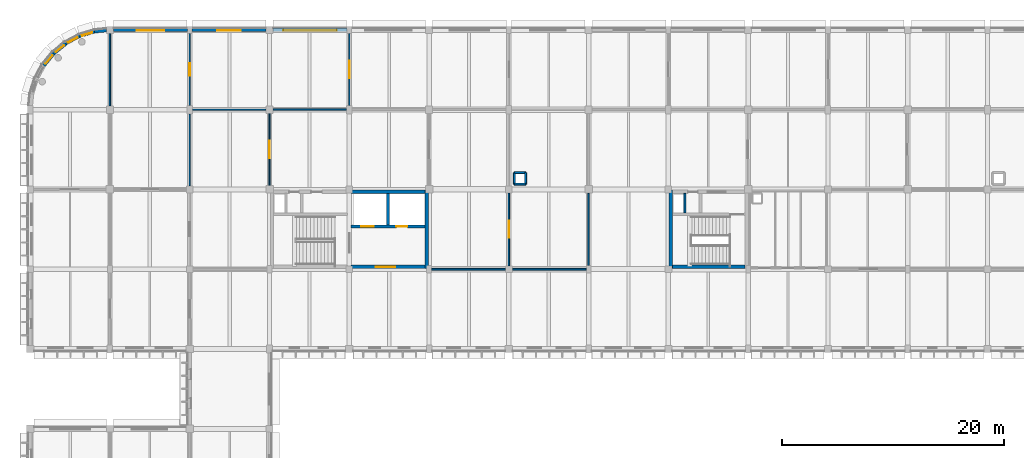
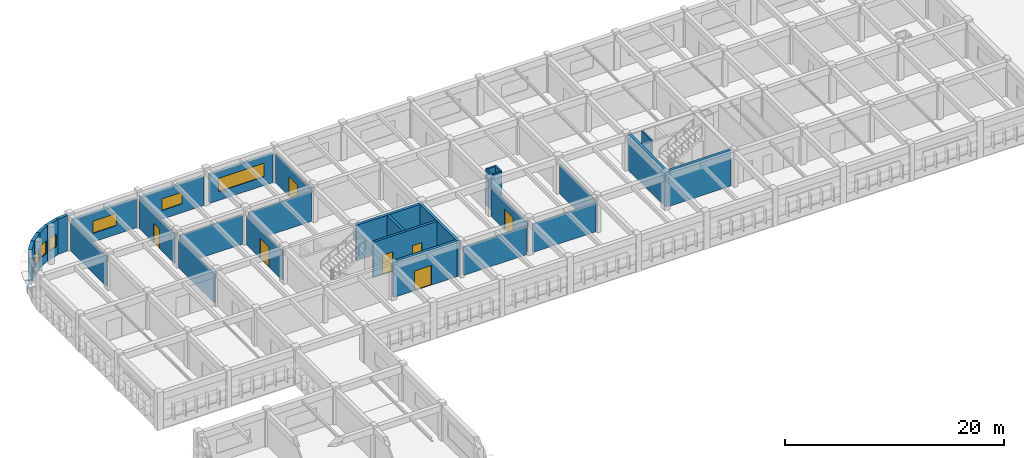
# One storey, part 25 of 38: 31 walls, 7 doors, 7 windows, 14 openings.
"""IFC4 building model written with IfcOpenShell, lengths in metres."""

import ifcopenshell
import ifcopenshell.guid

model = None  # the IFC model being written
_history = None  # IfcOwnerHistory: only IFC2X3 demands one
_inside = {}  # id of a spatial element -> (the spatial element, [elements in it])
_under = {}  # id of a project, library or spatial element -> (it, [spatial elements below it])
_declared = {}  # id of a project -> (the project, [libraries it declares])
_typed = {}  # id of a type object -> (the type object, [elements of that type])
_made_of = {}  # id of a material, layer set ... -> (it, [elements and type objects made of it])


def new_model(schema):
    """Start an empty IFC model of exactly this schema.

    Asked for "IFC4X3", IfcOpenShell would pick the latest addendum, in which some entities
    have other attributes; the version numbers below select the first issue.
    IFC2X3 requires an IfcOwnerHistory on every rooted entity: one is made here for all.
    """
    global model, _history
    if schema == "IFC4X3":
        model = ifcopenshell.file(schema_version=(4, 3, 0, 0))
    else:
        model = ifcopenshell.file(schema=schema)
    _inside.clear()
    _under.clear()
    _declared.clear()
    _typed.clear()
    _made_of.clear()
    _history = None
    if model.schema == "IFC2X3":
        org = make("IfcOrganization", Name="unknown")
        user = make(
            "IfcPersonAndOrganization",
            ThePerson=make("IfcPerson", FamilyName="unknown"),
            TheOrganization=org,
        )
        app = make(
            "IfcApplication",
            ApplicationDeveloper=org,
            Version="unknown",
            ApplicationFullName="unknown",
            ApplicationIdentifier="unknown",
        )
        _history = make(
            "IfcOwnerHistory",
            OwningUser=user,
            OwningApplication=app,
            ChangeAction="ADDED",
            CreationDate=0,
        )
    return model


def make(cls, **values):
    """One entity of the class cls with the attributes given. An attribute that is None is left unset."""
    return model.create_entity(
        cls, **{name: value for name, value in values.items() if value is not None}
    )


def rooted(cls, **values):
    """An entity with a GlobalId (a new one), such as an element, a storey or a relation."""
    return make(cls, GlobalId=ifcopenshell.guid.new(), OwnerHistory=_history, **values)


def si_unit(unit_type, name, prefix=None):
    """IfcSIUnit, for example si_unit("LENGTHUNIT", "METRE", prefix="MILLI")."""
    return make("IfcSIUnit", UnitType=unit_type, Prefix=prefix, Name=name)


def assignment(units):
    """IfcUnitAssignment: the units of a project."""
    return None if units is None else make("IfcUnitAssignment", Units=units)


def point(xyz):
    """IfcCartesianPoint."""
    return None if xyz is None else make("IfcCartesianPoint", Coordinates=xyz)


def direction(xyz):
    """IfcDirection."""
    return None if xyz is None else make("IfcDirection", DirectionRatios=xyz)


def frame(location, z_axis=None, x_axis=None):
    """IfcAxis2Placement3D, a coordinate frame: its origin and axes. An axis left out is left unset."""
    return make(
        "IfcAxis2Placement3D",
        Location=point(location),
        Axis=direction(z_axis),
        RefDirection=direction(x_axis),
    )


def frame_2d(location, x_axis=None):
    """IfcAxis2Placement2D, a coordinate frame in the plane: its origin and x axis."""
    return make(
        "IfcAxis2Placement2D", Location=point(location), RefDirection=direction(x_axis)
    )


def origin():
    """The frame at (0, 0, 0) with its axes left unset."""
    return frame((0.0, 0.0, 0.0))


def place(relative_to, where):
    """IfcLocalPlacement: puts the frame where relative to a parent placement (None: the world)."""
    return make(
        "IfcLocalPlacement", PlacementRelTo=relative_to, RelativePlacement=where
    )


def context(
    kind, dimensions, precision=None, world=None, true_north=None, identifier=None
):
    """IfcGeometricRepresentationContext, for example the 3D "Model" context."""
    return make(
        "IfcGeometricRepresentationContext",
        ContextIdentifier=identifier,
        ContextType=kind,
        CoordinateSpaceDimension=dimensions,
        Precision=precision,
        WorldCoordinateSystem=world,
        TrueNorth=true_north,
    )


def subcontext(parent, identifier, kind, view, scale=None):
    """IfcGeometricRepresentationSubContext, for example "Body" below "Model"."""
    return make(
        "IfcGeometricRepresentationSubContext",
        ContextIdentifier=identifier,
        ContextType=kind,
        ParentContext=parent,
        TargetScale=scale,
        TargetView=view,
    )


def project(units=None, contexts=None):
    """IfcProject with its units and contexts."""
    return rooted(
        "IfcProject",
        Name="project",
        RepresentationContexts=contexts,
        UnitsInContext=assignment(units),
    )


def spatial(cls, under=None, at=None, **own):
    """A site, building, storey or space (cls), placed at a placement, below another one or the project."""
    s = rooted(cls, ObjectPlacement=at, **own)
    if under is not None:
        _under.setdefault(under.id(), (under, []))[1].append(s)
    return s


def profile(cls, at=None, kind="AREA", **sizes):
    """A parametric profile (cls). Its sizes go by their IFC names, for example OverallWidth=200.0."""
    return make(cls, ProfileType=kind, Position=at, **sizes)


def rectangle(**sizes):
    """IfcRectangleProfileDef."""
    return profile("IfcRectangleProfileDef", **sizes)


def extrude(swept, where, along, depth):
    """IfcExtrudedAreaSolid: the profile swept, set in the frame where, extruded along a direction by depth."""
    return make(
        "IfcExtrudedAreaSolid",
        SweptArea=swept,
        Position=where,
        ExtrudedDirection=direction(along),
        Depth=depth,
    )


def shape(context_of_items, identifier, shape_type, items):
    """IfcShapeRepresentation: the items that make up one representation, for example the "Body"."""
    return make(
        "IfcShapeRepresentation",
        ContextOfItems=context_of_items,
        RepresentationIdentifier=identifier,
        RepresentationType=shape_type,
        Items=items,
    )


def material(Name=None, Category=None):
    """IfcMaterial."""
    return make("IfcMaterial", Name=Name, Category=Category)


def layer(
    of_material, thickness, ventilated=None, Name=None, Category=None, Priority=None
):
    """IfcMaterialLayer: one layer of a wall or slab, of a material (None: an air gap)."""
    return make(
        "IfcMaterialLayer",
        Material=of_material,
        LayerThickness=thickness,
        IsVentilated=ventilated,
        Name=Name,
        Category=Category,
        Priority=Priority,
    )


def layer_set(layers, Name=None):
    """IfcMaterialLayerSet."""
    return make("IfcMaterialLayerSet", MaterialLayers=layers, LayerSetName=Name)


def made_of(thing, what):
    """Note that an element or type object is made of a material, layer set ...; save() writes the relation."""
    if what is not None:
        _made_of.setdefault(what.id(), (what, []))[1].append(thing)
    return thing


def type_object(cls, material=None, **own):
    """A type object (cls), such as IfcWallType, which elements share."""
    return made_of(rooted(cls, **own), material)


def element(
    cls,
    number,
    at=None,
    inside=None,
    cuts=None,
    type_object=None,
    material=None,
    context=None,
    identifier="Body",
    shape_type=None,
    held_by="IfcProductDefinitionShape",
    body=None,
    shapes=None,
    **own,
):
    """One element of the class cls, such as IfcWall. Its Tag is "e" and its number.

    at: its placement. inside: the storey or other place that contains it. cuts: it is an
    opening in that element (IfcRelVoidsElement). A single representation is given by context,
    identifier, shape_type and body (its items); several are given by shapes. held_by: the class
    of the entity that holds the representations. save() writes the other relations.
    """
    e = rooted(cls, Tag="e%d" % number, ObjectPlacement=at, **own)
    if body is not None:
        shapes = [shape(context, identifier, shape_type, body)]
    if shapes is not None:
        e.Representation = make(held_by, Representations=shapes)
    if inside is not None:
        _inside.setdefault(inside.id(), (inside, []))[1].append(e)
    if cuts is not None:
        rooted(
            "IfcRelVoidsElement", RelatingBuildingElement=cuts, RelatedOpeningElement=e
        )
    if type_object is not None:
        _typed.setdefault(type_object.id(), (type_object, []))[1].append(e)
    return made_of(e, material)


def fill(opening, filler):
    """IfcRelFillsElement: the door or window that sits in an opening."""
    return rooted(
        "IfcRelFillsElement",
        RelatingOpeningElement=opening,
        RelatedBuildingElement=filler,
    )


def aggregate(whole, parts):
    """IfcRelAggregates: a whole, such as a stair, and the parts it consists of."""
    return rooted("IfcRelAggregates", RelatingObject=whole, RelatedObjects=parts)


def save(model, path):
    """Write the relations noted so far, then the file.

    IfcRelAggregates (storeys below a building ...), IfcRelContainedInSpatialStructure (elements
    in a storey), IfcRelDefinesByType, IfcRelAssociatesMaterial and IfcRelDeclares: one each for
    every whole, place, type object, material and project.
    """
    for whole, parts in _under.values():
        aggregate(whole, parts)
    for where, things in _inside.values():
        rooted(
            "IfcRelContainedInSpatialStructure",
            RelatedElements=things,
            RelatingStructure=where,
        )
    for kind, things in _typed.values():
        rooted("IfcRelDefinesByType", RelatedObjects=things, RelatingType=kind)
    for what, things in _made_of.values():
        rooted("IfcRelAssociatesMaterial", RelatedObjects=things, RelatingMaterial=what)
    for by, libraries in _declared.values():
        rooted("IfcRelDeclares", RelatingContext=by, RelatedDefinitions=libraries)
    model.write(path)


model = new_model("IFC4")

# Units and contexts
model_context = context("Model", 3, precision=1e-05, world=origin(), true_north=direction((0.0, 1.0)))
body_context = subcontext(model_context, "Body", "Model", "MODEL_VIEW")
ifc_project = project(units=[si_unit("LENGTHUNIT", "METRE"), si_unit("AREAUNIT", "SQUARE_METRE"), si_unit("VOLUMEUNIT", "CUBIC_METRE"), si_unit("PLANEANGLEUNIT", "RADIAN"), si_unit("MASSUNIT", "GRAM", prefix="KILO")], contexts=[model_context])

# Site, building, storey
site_placement = place(None, origin())
site = spatial("IfcSite", under=ifc_project, at=site_placement, CompositionType="ELEMENT")
building_placement = place(site_placement, origin())
building = spatial("IfcBuilding", under=site, at=building_placement, Name="Thalmaran Polytechnic", CompositionType="ELEMENT")
storey_placement = place(building_placement, frame((0.0, 0.0, 18.60009765625)))
storey = spatial("IfcBuildingStorey", under=building, at=storey_placement, Name="L04", CompositionType="ELEMENT", Elevation=18.60009765625)

# Wall, opening, window
ifc_material_1 = material(Name="Precast concrete C40/50", Category="concrete")
ifc_layer_1 = layer(ifc_material_1, 0.360107421875, Name="Precast concrete C40/50")
ifc_layer_set_1 = layer_set([ifc_layer_1], Name="Precast concrete C40/50")
wall_type_1 = type_object("IfcWallType", Name="WL-EW01", PredefinedType="STANDARD", material=ifc_layer_set_1)
wall_1_placement = place(storey_placement, frame((1.21337890625, 119.2001953125, 0.0), z_axis=(0.0, 0.0, 1.0), x_axis=(0.634433227965, 0.772977670605, 0.0)))
wall_1 = element("IfcWall", 1, at=wall_1_placement, inside=storey, type_object=wall_type_1, Name="Exterior Precast Facade Wall L04-048", PredefinedType="STANDARD", context=body_context, shape_type="SweptSolid", body=[
    extrude(rectangle(XDim=1.41162109375, YDim=0.360107421875, at=frame_2d((0.705810546875, 0.0))), origin(), (0.0, 0.0, 1.0), 3.954833984375),
])
opening_1_placement = place(wall_1_placement, frame((0.2255859375, 0.0, 1.0)))
opening_1 = element("IfcOpeningElement", 2, at=opening_1_placement, cuts=wall_1, Name="Opening CR01", PredefinedType="OPENING", context=body_context, shape_type="SweptSolid", body=[
    extrude(rectangle(XDim=0.9599609375, YDim=1.39990234375, at=frame_2d((0.47998046875, 0.699951171875))), frame((0.0, 0.18994140625, 0.0), z_axis=(0.0, -1.0, 0.0), x_axis=(1.0, 0.0, 0.0)), (0.0, 0.0, 1.0), 0.380126953125),
])
ifc_material_2 = material(Name="Thermally broken aluminium and double low-E glass", Category="aluminium")
window_type_1 = type_object("IfcWindowType", Name="WN-CR01", PartitioningType="SINGLE_PANEL", PredefinedType="WINDOW", material=ifc_material_2)
window_1_placement = place(opening_1_placement, origin())
window_1 = element("IfcWindow", 3, at=window_1_placement, inside=storey, type_object=window_type_1, Name="Curved Prow Ribbon Window W-0586", OverallHeight=1.39990234375, OverallWidth=0.9599609375, PartitioningType="SINGLE_PANEL", PredefinedType="WINDOW", context=body_context, shape_type="SweptSolid", body=[
    extrude(rectangle(XDim=0.9599609375, YDim=1.39990234375, at=frame_2d((0.47998046875, 0.699951171875))), frame((0.0, -0.010009765625, 0.0), z_axis=(0.0, -1.0, 0.0), x_axis=(1.0, 0.0, 0.0)), (0.0, 0.0, 1.0), 0.06005859375),
])
fill(opening_1, window_1)

wall_2_placement = place(storey_placement, frame((2.10888671875, 120.291259765625, 0.0), z_axis=(0.0, 0.0, 1.0), x_axis=(0.773062495189, 0.63432986571, 0.0)))
wall_2 = element("IfcWall", 4, at=wall_2_placement, inside=storey, type_object=wall_type_1, Name="Exterior Precast Facade Wall L04-049", PredefinedType="STANDARD", context=body_context, shape_type="SweptSolid", body=[
    extrude(rectangle(XDim=1.411376953125, YDim=0.360107421875, at=frame_2d((0.70556640625, 0.0))), origin(), (0.0, 0.0, 1.0), 3.954833984375),
])
opening_2_placement = place(wall_2_placement, frame((0.2255859375, 0.0, 1.0)))
opening_2 = element("IfcOpeningElement", 5, at=opening_2_placement, cuts=wall_2, Name="Opening CR01", PredefinedType="OPENING", context=body_context, shape_type="SweptSolid", body=[
    extrude(rectangle(XDim=0.9599609375, YDim=1.39990234375, at=frame_2d((0.47998046875, 0.699951171875))), frame((0.0, 0.18994140625, 0.0), z_axis=(0.0, -1.0, 0.0), x_axis=(1.0, 0.0, 0.0)), (0.0, 0.0, 1.0), 0.380126953125),
])
window_2_placement = place(opening_2_placement, origin())
window_2 = element("IfcWindow", 6, at=window_2_placement, inside=storey, type_object=window_type_1, Name="Curved Prow Ribbon Window W-0587", OverallHeight=1.39990234375, OverallWidth=0.9599609375, PartitioningType="SINGLE_PANEL", PredefinedType="WINDOW", context=body_context, shape_type="SweptSolid", body=[
    extrude(rectangle(XDim=0.9599609375, YDim=1.39990234375, at=frame_2d((0.47998046875, 0.699951171875))), frame((0.0, -0.010009765625, 0.0), z_axis=(0.0, -1.0, 0.0), x_axis=(1.0, 0.0, 0.0)), (0.0, 0.0, 1.0), 0.06005859375),
])
fill(opening_2, window_2)

ifc_layer_2 = layer(ifc_material_1, 0.31005859375, Name="Precast concrete C40/50")
ifc_layer_set_2 = layer_set([ifc_layer_2], Name="Precast concrete C40/50")
wall_type_2 = type_object("IfcWallType", Name="WL-EW03", PredefinedType="STANDARD", material=ifc_layer_set_2)
wall_3_placement = place(storey_placement, frame((3.199951171875, 121.1865234375, 0.0), z_axis=(0.0, 0.0, 1.0), x_axis=(0.881844864465, 0.471539643102, 0.0)))
wall_3 = element("IfcWall", 7, at=wall_3_placement, inside=storey, type_object=wall_type_2, Name="Exterior Precast Facade Wall L04-050", PredefinedType="STANDARD", context=body_context, shape_type="SweptSolid", body=[
    extrude(rectangle(XDim=1.411376953125, YDim=0.31005859375, at=frame_2d((0.70556640625, 0.0))), origin(), (0.0, 0.0, 1.0), 3.954833984375),
])
opening_3_placement = place(wall_3_placement, frame((0.2255859375, 0.0, 1.0)))
opening_3 = element("IfcOpeningElement", 8, at=opening_3_placement, cuts=wall_3, Name="Opening CR01", PredefinedType="OPENING", context=body_context, shape_type="SweptSolid", body=[
    extrude(rectangle(XDim=0.9599609375, YDim=1.39990234375, at=frame_2d((0.47998046875, 0.699951171875))), frame((0.0, 0.1650390625, 0.0), z_axis=(0.0, -1.0, 0.0), x_axis=(1.0, 0.0, 0.0)), (0.0, 0.0, 1.0), 0.330078125),
])
window_3_placement = place(opening_3_placement, origin())
window_3 = element("IfcWindow", 9, at=window_3_placement, inside=storey, type_object=window_type_1, Name="Curved Prow Ribbon Window W-0588", OverallHeight=1.39990234375, OverallWidth=0.9599609375, PartitioningType="SINGLE_PANEL", PredefinedType="WINDOW", context=body_context, shape_type="SweptSolid", body=[
    extrude(rectangle(XDim=0.9599609375, YDim=1.39990234375, at=frame_2d((0.47998046875, 0.699951171875))), frame((0.0, -0.010009765625, 0.0), z_axis=(0.0, -1.0, 0.0), x_axis=(1.0, 0.0, 0.0)), (0.0, 0.0, 1.0), 0.06005859375),
])
fill(opening_3, window_3)

wall_4_placement = place(storey_placement, frame((4.444580078125, 121.85205078125, 0.0), z_axis=(0.0, 0.0, 1.0), x_axis=(0.95696037757, 0.290218599957, 0.0)))
wall_4 = element("IfcWall", 10, at=wall_4_placement, inside=storey, type_object=wall_type_2, Name="Exterior Precast Facade Wall L04-051", PredefinedType="STANDARD", context=body_context, shape_type="SweptSolid", body=[
    extrude(rectangle(XDim=1.41162109375, YDim=0.31005859375, at=frame_2d((0.705810546875, 0.0))), origin(), (0.0, 0.0, 1.0), 3.954833984375),
])
opening_4_placement = place(wall_4_placement, frame((0.2255859375, 0.0, 1.0)))
opening_4 = element("IfcOpeningElement", 11, at=opening_4_placement, cuts=wall_4, Name="Opening CR01", PredefinedType="OPENING", context=body_context, shape_type="SweptSolid", body=[
    extrude(rectangle(XDim=0.9599609375, YDim=1.39990234375, at=frame_2d((0.47998046875, 0.699951171875))), frame((0.0, 0.1650390625, 0.0), z_axis=(0.0, -1.0, 0.0), x_axis=(1.0, 0.0, 0.0)), (0.0, 0.0, 1.0), 0.330078125),
])
window_4_placement = place(opening_4_placement, origin())
window_4 = element("IfcWindow", 12, at=window_4_placement, inside=storey, type_object=window_type_1, Name="Curved Prow Ribbon Window W-0589", OverallHeight=1.39990234375, OverallWidth=0.9599609375, PartitioningType="SINGLE_PANEL", PredefinedType="WINDOW", context=body_context, shape_type="SweptSolid", body=[
    extrude(rectangle(XDim=0.9599609375, YDim=1.39990234375, at=frame_2d((0.47998046875, 0.699951171875))), frame((0.0, -0.010009765625, 0.0), z_axis=(0.0, -1.0, 0.0), x_axis=(1.0, 0.0, 0.0)), (0.0, 0.0, 1.0), 0.06005859375),
])
fill(opening_4, window_4)

# Wall
wall_5_placement = place(storey_placement, frame((5.79541015625, 122.26171875, 0.0), z_axis=(0.0, 0.0, 1.0), x_axis=(0.99518962033, 0.097967441467, 0.0)))
element("IfcWall", 13, at=wall_5_placement, inside=storey, type_object=wall_type_2, Name="Exterior Precast Facade Wall L04-052", PredefinedType="STANDARD", context=body_context, shape_type="SweptSolid", body=[
    extrude(rectangle(XDim=1.1015625, YDim=0.31005859375, at=frame_2d((0.55078125, 0.0))), origin(), (0.0, 0.0, 1.0), 3.954833984375),
])

# Wall, opening, window
wall_6_placement = place(storey_placement, frame((7.510009765625, 122.39990234375, 0.0), z_axis=(0.0, 0.0, 1.0), x_axis=(1.0, 0.0, 0.0)))
wall_6 = element("IfcWall", 14, at=wall_6_placement, inside=storey, type_object=wall_type_2, Name="Exterior Precast Facade Wall L04-053", PredefinedType="STANDARD", context=body_context, shape_type="SweptSolid", body=[
    extrude(rectangle(XDim=6.679931640625, YDim=0.31005859375, at=frame_2d((3.33984375, 0.0))), origin(), (0.0, 0.0, 1.0), 3.199951171875),
])
opening_5_placement = place(wall_6_placement, frame((2.090087890625, 0.0, 0.97998046875)))
opening_5 = element("IfcOpeningElement", 15, at=opening_5_placement, cuts=wall_6, Name="Opening VW19", PredefinedType="OPENING", context=body_context, shape_type="SweptSolid", body=[
    extrude(rectangle(XDim=2.5, YDim=1.35009765625, at=frame_2d((1.25, 0.675048828125))), frame((0.0, 0.1650390625, 0.0), z_axis=(0.0, -1.0, 0.0), x_axis=(1.0, 0.0, 0.0)), (0.0, 0.0, 1.0), 0.330078125),
])
window_type_2 = type_object("IfcWindowType", Name="WN-VZ19", PartitioningType="DOUBLE_PANEL_VERTICAL", PredefinedType="WINDOW", material=ifc_material_2)
window_5_placement = place(opening_5_placement, origin())
window_5 = element("IfcWindow", 16, at=window_5_placement, inside=storey, type_object=window_type_2, Name="Streamline Ribbon Window W-0590", OverallHeight=1.35009765625, OverallWidth=2.5, PartitioningType="SINGLE_PANEL", PredefinedType="WINDOW", context=body_context, shape_type="SweptSolid", body=[
    extrude(rectangle(XDim=2.5, YDim=1.35009765625, at=frame_2d((1.25, 0.675048828125))), frame((0.0, -0.030029296875, 0.0), z_axis=(0.0, -1.0, 0.0), x_axis=(1.0, 0.0, 0.0)), (0.0, 0.0, 1.0), 0.06005859375),
])
fill(opening_5, window_5)

wall_7_placement = place(storey_placement, frame((14.610107421875, 122.39990234375, 0.0), z_axis=(0.0, 0.0, 1.0), x_axis=(1.0, 0.0, 0.0)))
wall_7 = element("IfcWall", 17, at=wall_7_placement, inside=storey, type_object=wall_type_2, Name="Exterior Precast Facade Wall L04-054", PredefinedType="STANDARD", context=body_context, shape_type="SweptSolid", body=[
    extrude(rectangle(XDim=6.679931640625, YDim=0.31005859375, at=frame_2d((3.33984375, 0.0))), origin(), (0.0, 0.0, 1.0), 3.199951171875),
])
opening_6_placement = place(wall_7_placement, frame((2.2900390625, 0.0, 0.97998046875)))
opening_6 = element("IfcOpeningElement", 18, at=opening_6_placement, cuts=wall_7, Name="Opening VW20", PredefinedType="OPENING", context=body_context, shape_type="SweptSolid", body=[
    extrude(rectangle(XDim=2.10009765625, YDim=1.300048828125, at=frame_2d((1.050048828125, 0.64990234375))), frame((0.0, 0.1650390625, 0.0), z_axis=(0.0, -1.0, 0.0), x_axis=(1.0, 0.0, 0.0)), (0.0, 0.0, 1.0), 0.330078125),
])
window_type_3 = type_object("IfcWindowType", Name="WN-VZ20", PartitioningType="SINGLE_PANEL", PredefinedType="WINDOW", material=ifc_material_2)
window_6_placement = place(opening_6_placement, origin())
window_6 = element("IfcWindow", 19, at=window_6_placement, inside=storey, type_object=window_type_3, Name="Streamline Ribbon Window W-0591", OverallHeight=1.300048828125, OverallWidth=2.10009765625, PartitioningType="SINGLE_PANEL", PredefinedType="WINDOW", context=body_context, shape_type="SweptSolid", body=[
    extrude(rectangle(XDim=2.10009765625, YDim=1.300048828125, at=frame_2d((1.050048828125, 0.64990234375))), frame((0.0, -0.030029296875, 0.0), z_axis=(0.0, -1.0, 0.0), x_axis=(1.0, 0.0, 0.0)), (0.0, 0.0, 1.0), 0.06005859375),
])
fill(opening_6, window_6)

wall_8_placement = place(storey_placement, frame((21.909912109375, 122.39990234375, 0.0), z_axis=(0.0, 0.0, 1.0), x_axis=(1.0, 0.0, 0.0)))
wall_8 = element("IfcWall", 20, at=wall_8_placement, inside=storey, type_object=wall_type_2, Name="Exterior Precast Facade Wall L04-055", PredefinedType="STANDARD", context=body_context, shape_type="SweptSolid", body=[
    extrude(rectangle(XDim=6.68017578125, YDim=0.31005859375, at=frame_2d((3.340087890625, 0.0))), origin(), (0.0, 0.0, 1.0), 3.199951171875),
])
opening_7_placement = place(wall_8_placement, frame((0.93994140625, 0.0, 0.97998046875)))
opening_7 = element("IfcOpeningElement", 21, at=opening_7_placement, cuts=wall_8, Name="Opening RW01", PredefinedType="OPENING", context=body_context, shape_type="SweptSolid", body=[
    extrude(rectangle(XDim=4.800048828125, YDim=1.5, at=frame_2d((2.39990234375, 0.75))), frame((0.0, 0.1650390625, 0.0), z_axis=(0.0, -1.0, 0.0), x_axis=(1.0, 0.0, 0.0)), (0.0, 0.0, 1.0), 0.330078125),
])
window_type_4 = type_object("IfcWindowType", Name="WN-RW01", PartitioningType="TRIPLE_PANEL_HORIZONTAL", PredefinedType="WINDOW", material=ifc_material_2)
window_7_placement = place(opening_7_placement, origin())
window_7 = element("IfcWindow", 22, at=window_7_placement, inside=storey, type_object=window_type_4, Name="Streamline Ribbon Window W-0592", OverallHeight=1.5, OverallWidth=4.800048828125, PartitioningType="SINGLE_PANEL", PredefinedType="WINDOW", context=body_context, shape_type="SweptSolid", body=[
    extrude(rectangle(XDim=4.800048828125, YDim=1.5, at=frame_2d((2.39990234375, 0.75))), frame((0.0, -0.030029296875, 0.0), z_axis=(0.0, -1.0, 0.0), x_axis=(1.0, 0.0, 0.0)), (0.0, 0.0, 1.0), 0.06005859375),
])
fill(opening_7, window_7)

# Walls
ifc_material_3 = material(Name="Autoclaved aerated masonry", Category="masonry")
ifc_layer_3 = layer(ifc_material_3, 0.25, Name="Autoclaved aerated masonry")
ifc_layer_set_3 = layer_set([ifc_layer_3], Name="Autoclaved aerated masonry")
wall_type_3 = type_object("IfcWallType", Name="WL-IW01", PredefinedType="PARTITIONING", material=ifc_layer_set_3)
wall_9_placement = place(storey_placement, frame((32.300048828125, 104.780029296875, 0.0), z_axis=(0.0, 0.0, 1.0), x_axis=(0.0, 1.0, 0.0)))
element("IfcWall", 23, at=wall_9_placement, inside=storey, type_object=wall_type_3, Name="Core C2 Shaft Dividing Wall L04", PredefinedType="PARTITIONING", context=body_context, shape_type="SweptSolid", body=[
    extrude(rectangle(XDim=2.869873046875, YDim=0.25, at=frame_2d((1.43505859375, 0.0))), origin(), (0.0, 0.0, 1.0), 3.954833984375),
])
ifc_layer_4 = layer(ifc_material_3, 0.179931640625, Name="Autoclaved aerated masonry")
ifc_layer_set_4 = layer_set([ifc_layer_4], Name="Autoclaved aerated masonry")
wall_type_4 = type_object("IfcWallType", Name="WL-IW04", PredefinedType="PARTITIONING", material=ifc_layer_set_4)
wall_10_placement = place(storey_placement, frame((59.080078125, 105.8798828125, 0.0), z_axis=(0.0, 0.0, 1.0), x_axis=(0.0, 1.0, 0.0)))
element("IfcWall", 24, at=wall_10_placement, inside=storey, type_object=wall_type_4, Name="Core C6 Riser Shaft Enclosure Wall L04", PredefinedType="PARTITIONING", context=body_context, shape_type="SweptSolid", body=[
    extrude(rectangle(XDim=1.760009765625, YDim=0.179931640625, at=frame_2d((0.8798828125, 0.0))), origin(), (0.0, 0.0, 1.0), 3.954833984375),
])
for number, where, z_axis, x_axis, name in (
    (25, (43.68994140625, 108.489990234375, 0.0), (0.0, 0.0, 1.0), (1.0, 0.0, 0.0), "Fume Exhaust Riser Shaft Wall L04 (6,15)-S"),
    (26, (44.7099609375, 108.489990234375, 0.0), (0.0, 0.0, 1.0), (0.0, 1.0, 0.0), "Fume Exhaust Riser Shaft Wall L04 (6,15)-E"),
    (27, (44.7099609375, 109.510009765625, 0.0), (0.0, 0.0, 1.0), (-1.0, 0.0, 0.0), "Fume Exhaust Riser Shaft Wall L04 (6,15)-N"),
    (28, (43.68994140625, 109.510009765625, 0.0), (0.0, 0.0, 1.0), (0.0, -1.0, 0.0), "Fume Exhaust Riser Shaft Wall L04 (6,15)-W"),
):
    element("IfcWall", number, at=place(storey_placement, frame(where, z_axis=z_axis, x_axis=x_axis)), inside=storey, type_object=wall_type_4, Name=name, PredefinedType="PARTITIONING", context=body_context, shape_type="SweptSolid", body=[
        extrude(rectangle(XDim=1.02001953125, YDim=0.179931640625, at=frame_2d((0.510009765625, 0.0))), origin(), (0.0, 0.0, 1.0), 3.954833984375),
    ])
ifc_material_4 = material(Name="Gypsum acoustic partition")
ifc_layer_5 = layer(ifc_material_4, 0.14501953125, Name="Gypsum acoustic partition")
ifc_layer_set_5 = layer_set([ifc_layer_5], Name="Gypsum acoustic partition")
wall_type_5 = type_object("IfcWallType", Name="WL-IW06", PredefinedType="PARTITIONING", material=ifc_layer_set_5)
wall_11_placement = place(storey_placement, frame((36.215087890625, 100.800048828125, 0.0), z_axis=(0.0, 0.0, 1.0), x_axis=(1.0, 0.0, 0.0)))
element("IfcWall", 29, at=wall_11_placement, inside=storey, type_object=wall_type_5, Name="Interior Partition IW06 L04-037", PredefinedType="PARTITIONING", context=body_context, shape_type="SweptSolid", body=[
    extrude(rectangle(XDim=6.669921875, YDim=0.14501953125, at=frame_2d((3.3349609375, 0.0))), origin(), (0.0, 0.0, 1.0), 3.15478515625),
])
wall_12_placement = place(storey_placement, frame((43.514892578125, 100.800048828125, 0.0), z_axis=(0.0, 0.0, 1.0), x_axis=(1.0, 0.0, 0.0)))
element("IfcWall", 30, at=wall_12_placement, inside=storey, type_object=wall_type_5, Name="Interior Partition IW06 L04-042", PredefinedType="PARTITIONING", context=body_context, shape_type="SweptSolid", body=[
    extrude(rectangle(XDim=6.670166015625, YDim=0.14501953125, at=frame_2d((3.3349609375, 0.0))), origin(), (0.0, 0.0, 1.0), 3.1748046875),
])
wall_13_placement = place(storey_placement, frame((50.39990234375, 101.125, 0.0), z_axis=(0.0, 0.0, 1.0), x_axis=(0.0, 1.0, 0.0)))
element("IfcWall", 31, at=wall_13_placement, inside=storey, type_object=wall_type_5, Name="Interior Partition IW06 L04-043", PredefinedType="PARTITIONING", context=body_context, shape_type="SweptSolid", body=[
    extrude(rectangle(XDim=6.530029296875, YDim=0.14501953125, at=frame_2d((3.26513671875, 0.0))), origin(), (0.0, 0.0, 1.0), 3.260009765625),
])
ifc_layer_6 = layer(ifc_material_4, 0.1298828125, Name="Gypsum acoustic partition")
ifc_layer_set_6 = layer_set([ifc_layer_6], Name="Gypsum acoustic partition")
wall_type_6 = type_object("IfcWallType", Name="WL-IW07", PredefinedType="PARTITIONING", material=ifc_layer_set_6)
wall_14_placement = place(storey_placement, frame((7.199951171875, 115.530029296875, 0.0), z_axis=(0.0, 0.0, 1.0), x_axis=(0.0, 1.0, 0.0)))
element("IfcWall", 32, at=wall_14_placement, inside=storey, type_object=wall_type_6, Name="Interior Partition IW07 L04-010", PredefinedType="PARTITIONING", context=body_context, shape_type="SweptSolid", body=[
    extrude(rectangle(XDim=6.554931640625, YDim=0.1298828125, at=frame_2d((3.27734375, 0.0))), origin(), (0.0, 0.0, 1.0), 3.324951171875),
])
wall_15_placement = place(storey_placement, frame((14.39990234375, 108.304931640625, 0.0), z_axis=(0.0, 0.0, 1.0), x_axis=(0.0, 1.0, 0.0)))
element("IfcWall", 33, at=wall_15_placement, inside=storey, type_object=wall_type_6, Name="Interior Partition IW07 L04-024", PredefinedType="PARTITIONING", context=body_context, shape_type="SweptSolid", body=[
    extrude(rectangle(XDim=6.51513671875, YDim=0.1298828125, at=frame_2d((3.257568359375, 0.0))), origin(), (0.0, 0.0, 1.0), 3.260009765625),
])

# Wall, opening, door
wall_16_placement = place(storey_placement, frame((21.60009765625, 108.344970703125, 0.0), z_axis=(0.0, 0.0, 1.0), x_axis=(0.0, 1.0, 0.0)))
wall_16 = element("IfcWall", 34, at=wall_16_placement, inside=storey, type_object=wall_type_6, Name="Interior Partition IW07 L04-028", PredefinedType="PARTITIONING", context=body_context, shape_type="SweptSolid", body=[
    extrude(rectangle(XDim=6.525146484375, YDim=0.1298828125, at=frame_2d((3.2626953125, 0.0))), origin(), (0.0, 0.0, 1.0), 3.260009765625),
])
opening_8_placement = place(wall_16_placement, frame((2.46240234375, 0.0, 0.0)))
opening_8 = element("IfcOpeningElement", 35, at=opening_8_placement, cuts=wall_16, Name="Opening D-L04-014-2-07-1", PredefinedType="OPENING", context=body_context, shape_type="SweptSolid", body=[
    extrude(rectangle(XDim=1.60009765625, YDim=2.199951171875, at=frame_2d((0.800048828125, 1.10009765625))), frame((0.0, 0.074951171875, 0.0), z_axis=(0.0, -1.0, 0.0), x_axis=(1.0, 0.0, 0.0)), (0.0, 0.0, 1.0), 0.14990234375),
])
ifc_material_5 = material(Name="Powder-coated fire-rated steel", Category="steel")
door_type_1 = type_object("IfcDoorType", Name="DR-FD05", OperationType="NOTDEFINED", PredefinedType="DOOR", material=ifc_material_5)
door_1_placement = place(opening_8_placement, origin())
door_1 = element("IfcDoor", 36, at=door_1_placement, inside=storey, type_object=door_type_1, Name="Technical Reference Library Reading Room L04-07 Door 1", OperationType="DOUBLE_DOOR_SINGLE_SWING", OverallHeight=2.199951171875, OverallWidth=1.60009765625, PredefinedType="DOOR", context=body_context, shape_type="SweptSolid", body=[
    extrude(rectangle(XDim=1.60009765625, YDim=2.199951171875, at=frame_2d((0.800048828125, 1.10009765625))), frame((0.0, 0.02490234375, 0.0), z_axis=(0.0, -1.0, 0.0), x_axis=(1.0, 0.0, 0.0)), (0.0, 0.0, 1.0), 0.050048828125),
])
fill(opening_8, door_1)

# Wall
wall_17_placement = place(storey_placement, frame((21.929931640625, 115.199951171875, 0.0), z_axis=(0.0, 0.0, 1.0), x_axis=(1.0, 0.0, 0.0)))
element("IfcWall", 37, at=wall_17_placement, inside=storey, type_object=wall_type_6, Name="Interior Partition IW07 L04-032", PredefinedType="PARTITIONING", context=body_context, shape_type="SweptSolid", body=[
    extrude(rectangle(XDim=6.614990234375, YDim=0.1298828125, at=frame_2d((3.3076171875, 0.0))), origin(), (0.0, 0.0, 1.0), 3.304931640625),
])

# Wall, opening, door
wall_18_placement = place(storey_placement, frame((43.199951171875, 101.114990234375, 0.0), z_axis=(0.0, 0.0, 1.0), x_axis=(0.0, 1.0, 0.0)))
wall_18 = element("IfcWall", 38, at=wall_18_placement, inside=storey, type_object=wall_type_6, Name="Interior Partition IW07 L04-038", PredefinedType="PARTITIONING", context=body_context, shape_type="SweptSolid", body=[
    extrude(rectangle(XDim=6.580078125, YDim=0.1298828125, at=frame_2d((3.2900390625, 0.0))), origin(), (0.0, 0.0, 1.0), 3.260009765625),
])
opening_9_placement = place(wall_18_placement, frame((2.510009765625, 0.0, 0.0)))
opening_9 = element("IfcOpeningElement", 39, at=opening_9_placement, cuts=wall_18, Name="Opening D-L04-017-2-10-1", PredefinedType="OPENING", context=body_context, shape_type="SweptSolid", body=[
    extrude(rectangle(XDim=1.56005859375, YDim=2.25, at=frame_2d((0.780029296875, 1.125))), frame((0.0, 0.074951171875, 0.0), z_axis=(0.0, -1.0, 0.0), x_axis=(1.0, 0.0, 0.0)), (0.0, 0.0, 1.0), 0.14990234375),
])
ifc_material_6 = material(Name="Acoustic hardwood and vision glass", Category="wood")
door_type_2 = type_object("IfcDoorType", Name="DR-ZD03", OperationType="NOTDEFINED", PredefinedType="DOOR", material=ifc_material_6)
door_2_placement = place(opening_9_placement, origin())
door_2 = element("IfcDoor", 40, at=door_2_placement, inside=storey, type_object=door_type_2, Name="Digital Learning Commons L04-10 Door 1", OperationType="SINGLE_SWING_LEFT", OverallHeight=2.25, OverallWidth=1.56005859375, PredefinedType="DOOR", context=body_context, shape_type="SweptSolid", body=[
    extrude(rectangle(XDim=1.56005859375, YDim=2.25, at=frame_2d((0.780029296875, 1.125))), frame((0.0, 0.02490234375, 0.0), z_axis=(0.0, -1.0, 0.0), x_axis=(1.0, 0.0, 0.0)), (0.0, 0.0, 1.0), 0.050048828125),
])
fill(opening_9, door_2)

ifc_layer_7 = layer(ifc_material_4, 0.114990234375, Name="Gypsum acoustic partition")
ifc_layer_set_7 = layer_set([ifc_layer_7], Name="Gypsum acoustic partition")
wall_type_7 = type_object("IfcWallType", Name="WL-IW08", PredefinedType="PARTITIONING", material=ifc_layer_set_7)
wall_19_placement = place(storey_placement, frame((14.39990234375, 115.580078125, 0.0), z_axis=(0.0, 0.0, 1.0), x_axis=(0.0, 1.0, 0.0)))
wall_19 = element("IfcWall", 41, at=wall_19_placement, inside=storey, type_object=wall_type_7, Name="Interior Partition IW08 L04-025", PredefinedType="PARTITIONING", context=body_context, shape_type="SweptSolid", body=[
    extrude(rectangle(XDim=6.494873046875, YDim=0.114990234375, at=frame_2d((3.24755859375, 0.0))), origin(), (0.0, 0.0, 1.0), 3.324951171875),
])
opening_10_placement = place(wall_19_placement, frame((2.697509765625, 0.0, 0.0)))
opening_10 = element("IfcOpeningElement", 42, at=opening_10_placement, cuts=wall_19, Name="Opening D-L04-013-2-06-1", PredefinedType="OPENING", context=body_context, shape_type="SweptSolid", body=[
    extrude(rectangle(XDim=1.10009765625, YDim=2.14990234375, at=frame_2d((0.550048828125, 1.074951171875))), frame((0.0, 0.0673828125, 0.0), z_axis=(0.0, -1.0, 0.0), x_axis=(1.0, 0.0, 0.0)), (0.0, 0.0, 1.0), 0.135009765625),
])
door_type_3 = type_object("IfcDoorType", Name="DR-FD07", OperationType="NOTDEFINED", PredefinedType="DOOR", material=ifc_material_5)
door_3_placement = place(opening_10_placement, origin())
door_3 = element("IfcDoor", 43, at=door_3_placement, inside=storey, type_object=door_type_3, Name="Urban Design Studio L04-06 Door 1", OperationType="SINGLE_SWING_RIGHT", OverallHeight=2.14990234375, OverallWidth=1.10009765625, PredefinedType="DOOR", context=body_context, shape_type="SweptSolid", body=[
    extrude(rectangle(XDim=1.10009765625, YDim=2.14990234375, at=frame_2d((0.550048828125, 1.074951171875))), frame((0.0, 0.02490234375, 0.0), z_axis=(0.0, -1.0, 0.0), x_axis=(1.0, 0.0, 0.0)), (0.0, 0.0, 1.0), 0.050048828125),
])
fill(opening_10, door_3)

# Wall
wall_20_placement = place(storey_placement, frame((14.655029296875, 115.199951171875, 0.0), z_axis=(0.0, 0.0, 1.0), x_axis=(1.0, 0.0, 0.0)))
element("IfcWall", 44, at=wall_20_placement, inside=storey, type_object=wall_type_7, Name="Interior Partition IW08 L04-029", PredefinedType="PARTITIONING", context=body_context, shape_type="SweptSolid", body=[
    extrude(rectangle(XDim=6.614990234375, YDim=0.114990234375, at=frame_2d((3.3076171875, 0.0))), origin(), (0.0, 0.0, 1.0), 3.294921875),
])

# Wall, opening, door
wall_21_placement = place(storey_placement, frame((28.800048828125, 115.580078125, 0.0), z_axis=(0.0, 0.0, 1.0), x_axis=(0.0, 1.0, 0.0)))
wall_21 = element("IfcWall", 45, at=wall_21_placement, inside=storey, type_object=wall_type_7, Name="Interior Partition IW08 L04-033", PredefinedType="PARTITIONING", context=body_context, shape_type="SweptSolid", body=[
    extrude(rectangle(XDim=6.494873046875, YDim=0.114990234375, at=frame_2d((3.24755859375, 0.0))), origin(), (0.0, 0.0, 1.0), 3.324951171875),
])
opening_11_placement = place(wall_21_placement, frame((2.447509765625, 0.0, 0.0)))
opening_11 = element("IfcOpeningElement", 46, at=opening_11_placement, cuts=wall_21, Name="Opening D-L04-015-2-08-1", PredefinedType="OPENING", context=body_context, shape_type="SweptSolid", body=[
    extrude(rectangle(XDim=1.60009765625, YDim=2.199951171875, at=frame_2d((0.800048828125, 1.10009765625))), frame((0.0, 0.0673828125, 0.0), z_axis=(0.0, -1.0, 0.0), x_axis=(1.0, 0.0, 0.0)), (0.0, 0.0, 1.0), 0.135009765625),
])
door_4_placement = place(opening_11_placement, origin())
door_4 = element("IfcDoor", 47, at=door_4_placement, inside=storey, type_object=door_type_1, Name="Polytechnic Library Reading Hall L04-08 Door 1", OperationType="DOUBLE_DOOR_SINGLE_SWING", OverallHeight=2.199951171875, OverallWidth=1.60009765625, PredefinedType="DOOR", context=body_context, shape_type="SweptSolid", body=[
    extrude(rectangle(XDim=1.60009765625, YDim=2.199951171875, at=frame_2d((0.800048828125, 1.10009765625))), frame((0.0, 0.02490234375, 0.0), z_axis=(0.0, -1.0, 0.0), x_axis=(1.0, 0.0, 0.0)), (0.0, 0.0, 1.0), 0.050048828125),
])
fill(opening_11, door_4)

ifc_material_7 = material(Name="Concrete C50/60", Category="concrete")
ifc_layer_8 = layer(ifc_material_7, 0.300048828125, Name="Concrete C50/60")
ifc_layer_set_8 = layer_set([ifc_layer_8], Name="Concrete C50/60")
wall_type_8 = type_object("IfcWallType", Name="WL-SW04", PredefinedType="SHEAR", material=ifc_layer_set_8)
wall_22_placement = place(storey_placement, frame((28.949951171875, 101.02001953125, 0.0), z_axis=(0.0, 0.0, 1.0), x_axis=(1.0, 0.0, 0.0)))
wall_22 = element("IfcWall", 48, at=wall_22_placement, inside=storey, type_object=wall_type_8, Name="Core C2 Lobby South Wall L04", PredefinedType="SHEAR", context=body_context, shape_type="SweptSolid", body=[
    extrude(rectangle(XDim=6.679931640625, YDim=0.300048828125, at=frame_2d((3.33984375, 0.0))), origin(), (0.0, 0.0, 1.0), 3.954833984375),
])
opening_12_placement = place(wall_22_placement, frame((2.219970703125, 0.0, 0.0)))
opening_12 = element("IfcOpeningElement", 49, at=opening_12_placement, cuts=wall_22, Name="Opening FD-C2-L04", PredefinedType="OPENING", context=body_context, shape_type="SweptSolid", body=[
    extrude(rectangle(XDim=1.800048828125, YDim=2.199951171875, at=frame_2d((0.89990234375, 1.10009765625))), frame((0.0, 0.159912109375, 0.0), z_axis=(0.0, -1.0, 0.0), x_axis=(1.0, 0.0, 0.0)), (0.0, 0.0, 1.0), 0.320068359375),
])
door_type_4 = type_object("IfcDoorType", Name="DR-FD01", OperationType="NOTDEFINED", PredefinedType="DOOR", material=ifc_material_5)
door_5_placement = place(opening_12_placement, origin())
door_5 = element("IfcDoor", 50, at=door_5_placement, inside=storey, type_object=door_type_4, Name="Firefighting Lift Lobby Entrance Door C2 L04", OperationType="DOUBLE_DOOR_SINGLE_SWING", OverallHeight=2.199951171875, OverallWidth=1.800048828125, PredefinedType="DOOR", context=body_context, shape_type="SweptSolid", body=[
    extrude(rectangle(XDim=1.800048828125, YDim=2.199951171875, at=frame_2d((0.89990234375, 1.10009765625))), frame((0.0, 0.02490234375, 0.0), z_axis=(0.0, -1.0, 0.0), x_axis=(1.0, 0.0, 0.0)), (0.0, 0.0, 1.0), 0.050048828125),
])
fill(opening_12, door_5)

# Walls
wall_23_placement = place(storey_placement, frame((35.780029296875, 100.8701171875, 0.0), z_axis=(0.0, 0.0, 1.0), x_axis=(0.0, 1.0, 0.0)))
element("IfcWall", 51, at=wall_23_placement, inside=storey, type_object=wall_type_8, Name="Core C2 Lobby East Shear Wall L04", PredefinedType="SHEAR", context=body_context, shape_type="SweptSolid", body=[
    extrude(rectangle(XDim=7.059814453125, YDim=0.300048828125, at=frame_2d((3.52978515625, 0.0))), origin(), (0.0, 0.0, 1.0), 3.954833984375),
])
wall_24_placement = place(storey_placement, frame((28.949951171875, 107.780029296875, 0.0), z_axis=(0.0, 0.0, 1.0), x_axis=(1.0, 0.0, 0.0)))
element("IfcWall", 52, at=wall_24_placement, inside=storey, type_object=wall_type_8, Name="Core C2 Lift Shaft Back Shear Wall L04", PredefinedType="SHEAR", context=body_context, shape_type="SweptSolid", body=[
    extrude(rectangle(XDim=6.679931640625, YDim=0.300048828125, at=frame_2d((3.33984375, 0.0))), origin(), (0.0, 0.0, 1.0), 3.954833984375),
])

# Wall, openings, doors
wall_25_placement = place(storey_placement, frame((28.949951171875, 104.64990234375, 0.0), z_axis=(0.0, 0.0, 1.0), x_axis=(1.0, 0.0, 0.0)))
wall_25 = element("IfcWall", 53, at=wall_25_placement, inside=storey, type_object=wall_type_8, Name="Core C2 Lift Landing Front Wall L04", PredefinedType="SHEAR", context=body_context, shape_type="SweptSolid", body=[
    extrude(rectangle(XDim=6.679931640625, YDim=0.260009765625, at=frame_2d((3.33984375, 0.0))), origin(), (0.0, 0.0, 1.0), 3.954833984375),
])
opening_13_placement = place(wall_25_placement, frame((0.949951171875, 0.0, 0.0)))
opening_13 = element("IfcOpeningElement", 54, at=opening_13_placement, cuts=wall_25, Name="Opening LD-FL-02-L04", PredefinedType="OPENING", context=body_context, shape_type="SweptSolid", body=[
    extrude(rectangle(XDim=1.10009765625, YDim=2.199951171875, at=frame_2d((0.550048828125, 1.10009765625))), frame((0.0, 0.139892578125, 0.0), z_axis=(0.0, -1.0, 0.0), x_axis=(1.0, 0.0, 0.0)), (0.0, 0.0, 1.0), 0.280029296875),
])
opening_14_placement = place(wall_25_placement, frame((4.10009765625, 0.0, 0.0)))
opening_14 = element("IfcOpeningElement", 55, at=opening_14_placement, cuts=wall_25, Name="Opening LD-PL-03-L04", PredefinedType="OPENING", context=body_context, shape_type="SweptSolid", body=[
    extrude(rectangle(XDim=1.0, YDim=2.14990234375, at=frame_2d((0.5, 1.074951171875))), frame((0.0, 0.139892578125, 0.0), z_axis=(0.0, -1.0, 0.0), x_axis=(1.0, 0.0, 0.0)), (0.0, 0.0, 1.0), 0.280029296875),
])
ifc_material_8 = material(Name="Brushed stainless steel lift door", Category="steel")
door_type_5 = type_object("IfcDoorType", Name="DR-LD01", OperationType="NOTDEFINED", PredefinedType="DOOR", material=ifc_material_8)
door_6_placement = place(opening_13_placement, origin())
door_6 = element("IfcDoor", 56, at=door_6_placement, inside=storey, type_object=door_type_5, Name="Lift Landing Door FL-02 L04", OperationType="SLIDING_TO_LEFT", OverallHeight=2.199951171875, OverallWidth=1.10009765625, PredefinedType="DOOR", context=body_context, shape_type="SweptSolid", body=[
    extrude(rectangle(XDim=1.10009765625, YDim=2.199951171875, at=frame_2d((0.550048828125, 1.10009765625))), frame((0.0, 0.02490234375, 0.0), z_axis=(0.0, -1.0, 0.0), x_axis=(1.0, 0.0, 0.0)), (0.0, 0.0, 1.0), 0.050048828125),
])
fill(opening_13, door_6)
door_type_6 = type_object("IfcDoorType", Name="DR-LD02", OperationType="NOTDEFINED", PredefinedType="DOOR", material=ifc_material_8)
door_7_placement = place(opening_14_placement, origin())
door_7 = element("IfcDoor", 57, at=door_7_placement, inside=storey, type_object=door_type_6, Name="Lift Landing Door PL-03 L04", OperationType="SLIDING_TO_RIGHT", OverallHeight=2.14990234375, OverallWidth=1.0, PredefinedType="DOOR", context=body_context, shape_type="SweptSolid", body=[
    extrude(rectangle(XDim=1.0, YDim=2.14990234375, at=frame_2d((0.5, 1.074951171875))), frame((0.0, 0.02490234375, 0.0), z_axis=(0.0, -1.0, 0.0), x_axis=(1.0, 0.0, 0.0)), (0.0, 0.0, 1.0), 0.050048828125),
])
fill(opening_14, door_7)

# Walls
wall_26_placement = place(storey_placement, frame((57.969970703125, 101.02001953125, 0.0), z_axis=(0.0, 0.0, 1.0), x_axis=(1.0, 0.0, 0.0)))
element("IfcWall", 58, at=wall_26_placement, inside=storey, type_object=wall_type_8, Name="Core C6 South Shear Wall L04", PredefinedType="SHEAR", context=body_context, shape_type="SweptSolid", body=[
    extrude(rectangle(XDim=6.5400390625, YDim=0.300048828125, at=frame_2d((3.27001953125, 0.0))), origin(), (0.0, 0.0, 1.0), 3.954833984375),
])
wall_27_placement = place(storey_placement, frame((57.820068359375, 107.929931640625, 0.0), z_axis=(0.0, 0.0, 1.0), x_axis=(0.0, -1.0, 0.0)))
element("IfcWall", 59, at=wall_27_placement, inside=storey, type_object=wall_type_8, Name="Core C6 West Shear Wall L04", PredefinedType="SHEAR", context=body_context, shape_type="SweptSolid", body=[
    extrude(rectangle(XDim=7.059814453125, YDim=0.300048828125, at=frame_2d((3.52978515625, 0.0))), origin(), (0.0, 0.0, 1.0), 3.954833984375),
])

save(model, "model.ifc")
